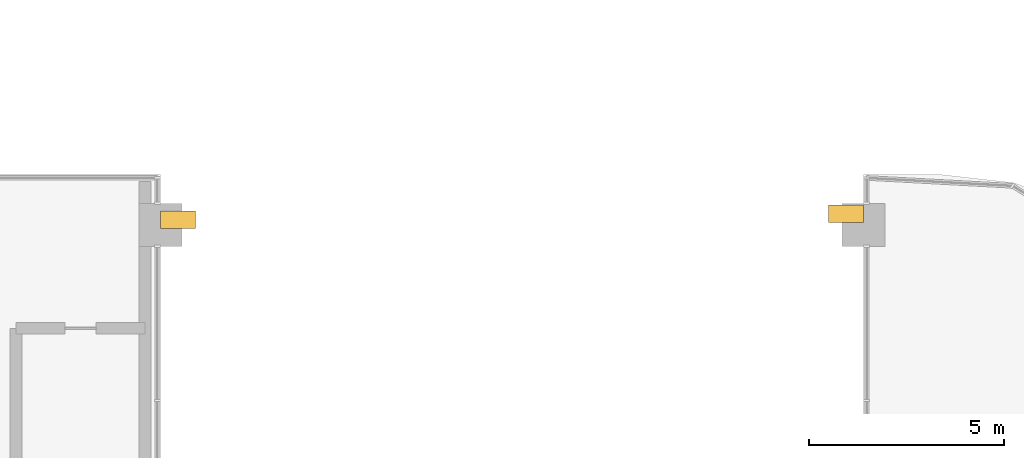
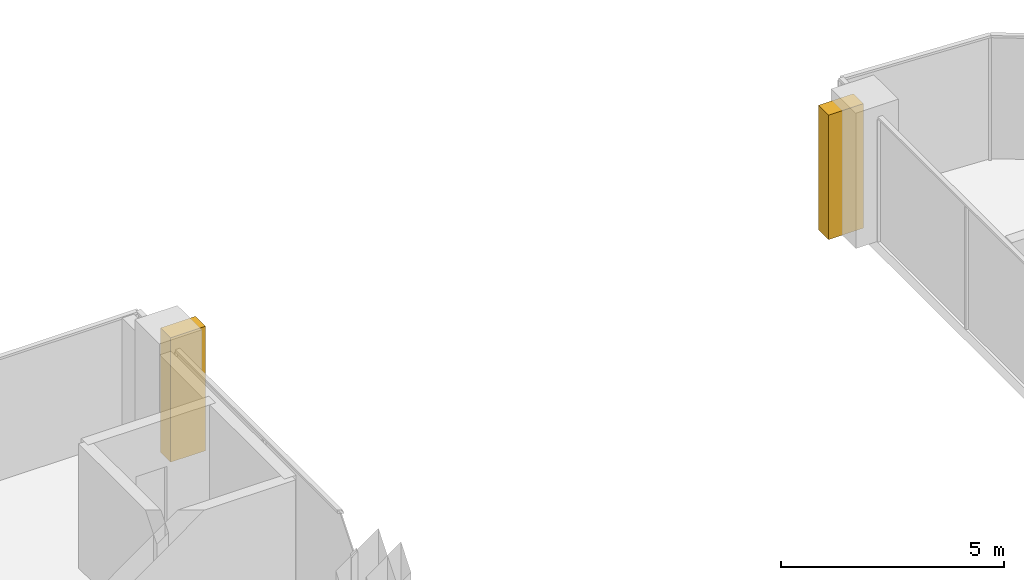
# One storey, part 22 of 23: 2 coverings.
"""IFC4 building model written with IfcOpenShell, lengths in metres."""

from ifc_helpers import new_model, si_unit, direction, frame, origin, origin_2d, place, context, subcontext, project, spatial, rectangle, extrude, material, layer, layer_set, type_object, element, save


model = new_model("IFC4")

# Units and contexts
model_context = context("Model", 3, precision=1e-05, world=origin(), true_north=direction((0.0, 1.0)))
body_context = subcontext(model_context, "Body", "Model", "MODEL_VIEW")
ifc_project = project(units=[si_unit("LENGTHUNIT", "METRE"), si_unit("AREAUNIT", "SQUARE_METRE"), si_unit("VOLUMEUNIT", "CUBIC_METRE"), si_unit("PLANEANGLEUNIT", "RADIAN"), si_unit("MASSUNIT", "GRAM", prefix="KILO")], contexts=[model_context])

# Site, building, storey
site_placement = place(None, origin())
site = spatial("IfcSite", under=ifc_project, at=site_placement, CompositionType="ELEMENT")
building_placement = place(site_placement, origin())
building = spatial("IfcBuilding", under=site, at=building_placement, Name="Ogive Portal Towers", CompositionType="ELEMENT")
storey_placement = place(building_placement, frame((0.0, 0.0, 168.10009765625)))
storey = spatial("IfcBuildingStorey", under=building, at=storey_placement, Name="L41", CompositionType="ELEMENT", Elevation=168.10009765625)

# Coverings
ifc_material = material(Name="Limestone cladding on lightweight block wall", Category="masonry")
ifc_layer = layer(ifc_material, 0.449951171875)
ifc_layer_set = layer_set([ifc_layer], Name="BUTTRESS PIER STONE")
covering_type = type_object("IfcCoveringType", Name="BUTTRESS PIER STONE", PredefinedType="CLADDING", material=ifc_layer_set)
for number, where, z_axis, x_axis, name in (
    (1, (67.949951171875, 39.625, 0.0), (0.0, 0.0, 1.0), (1.0, 0.0, 0.0), "Buttress pier A1-F06.3"),
    (2, (85.050048828125, 39.784912109375, 0.0), (0.0, 0.0, 1.0), (1.0, 0.0, 0.0), "Buttress pier A2-F01.2"),
):
    element("IfcCovering", number, at=place(storey_placement, frame(where, z_axis=z_axis, x_axis=x_axis)), inside=storey, type_object=covering_type, Name=name, PredefinedType="CLADDING", context=body_context, shape_type="SweptSolid", body=[
        extrude(rectangle(XDim=0.89990234375, YDim=0.449951171875, at=origin_2d()), origin(), (0.0, 0.0, 1.0), 3.39990234375),
    ])

save(model, "model.ifc")
